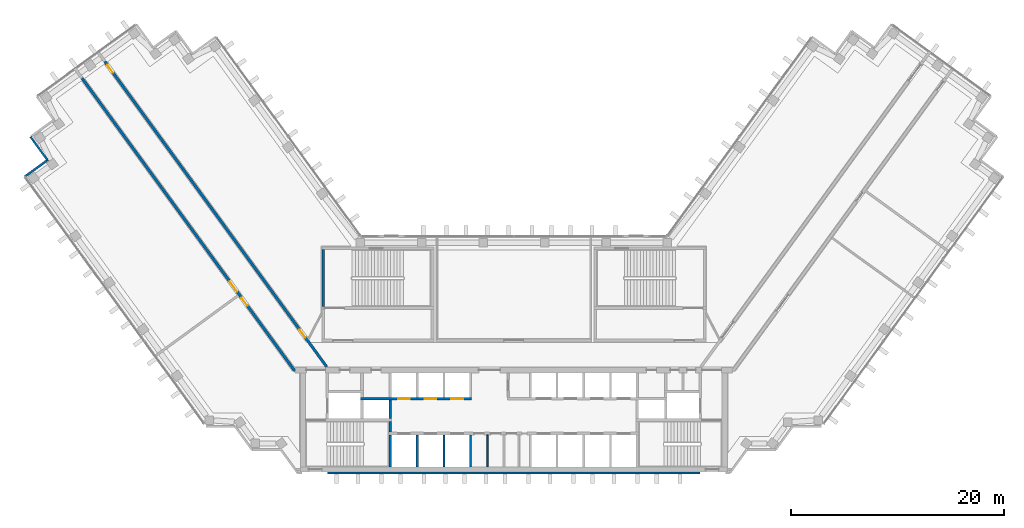
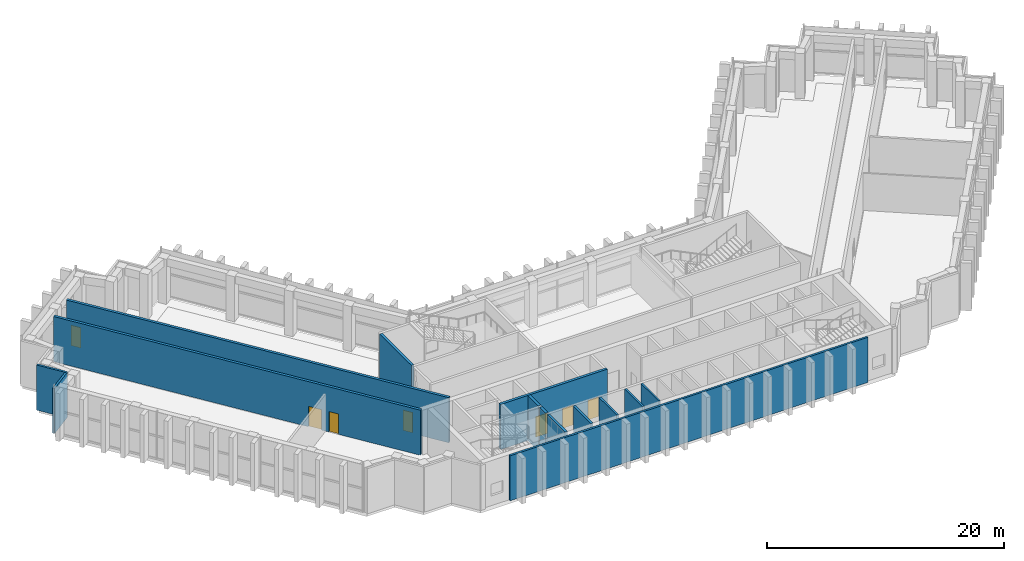
# One storey, part 8 of 14: 14 walls, 7 doors, 7 openings.
"""IFC4 building model written with IfcOpenShell, lengths in metres."""

import ifcopenshell
import ifcopenshell.guid

model = None  # the IFC model being written
_history = None  # IfcOwnerHistory: only IFC2X3 demands one
_inside = {}  # id of a spatial element -> (the spatial element, [elements in it])
_under = {}  # id of a project, library or spatial element -> (it, [spatial elements below it])
_declared = {}  # id of a project -> (the project, [libraries it declares])
_typed = {}  # id of a type object -> (the type object, [elements of that type])
_made_of = {}  # id of a material, layer set ... -> (it, [elements and type objects made of it])


def new_model(schema):
    """Start an empty IFC model of exactly this schema.

    Asked for "IFC4X3", IfcOpenShell would pick the latest addendum, in which some entities
    have other attributes; the version numbers below select the first issue.
    IFC2X3 requires an IfcOwnerHistory on every rooted entity: one is made here for all.
    """
    global model, _history
    if schema == "IFC4X3":
        model = ifcopenshell.file(schema_version=(4, 3, 0, 0))
    else:
        model = ifcopenshell.file(schema=schema)
    _inside.clear()
    _under.clear()
    _declared.clear()
    _typed.clear()
    _made_of.clear()
    _history = None
    if model.schema == "IFC2X3":
        org = make("IfcOrganization", Name="unknown")
        user = make(
            "IfcPersonAndOrganization",
            ThePerson=make("IfcPerson", FamilyName="unknown"),
            TheOrganization=org,
        )
        app = make(
            "IfcApplication",
            ApplicationDeveloper=org,
            Version="unknown",
            ApplicationFullName="unknown",
            ApplicationIdentifier="unknown",
        )
        _history = make(
            "IfcOwnerHistory",
            OwningUser=user,
            OwningApplication=app,
            ChangeAction="ADDED",
            CreationDate=0,
        )
    return model


def make(cls, **values):
    """One entity of the class cls with the attributes given. An attribute that is None is left unset."""
    return model.create_entity(
        cls, **{name: value for name, value in values.items() if value is not None}
    )


def rooted(cls, **values):
    """An entity with a GlobalId (a new one), such as an element, a storey or a relation."""
    return make(cls, GlobalId=ifcopenshell.guid.new(), OwnerHistory=_history, **values)


def si_unit(unit_type, name, prefix=None):
    """IfcSIUnit, for example si_unit("LENGTHUNIT", "METRE", prefix="MILLI")."""
    return make("IfcSIUnit", UnitType=unit_type, Prefix=prefix, Name=name)


def assignment(units):
    """IfcUnitAssignment: the units of a project."""
    return None if units is None else make("IfcUnitAssignment", Units=units)


def point(xyz):
    """IfcCartesianPoint."""
    return None if xyz is None else make("IfcCartesianPoint", Coordinates=xyz)


def direction(xyz):
    """IfcDirection."""
    return None if xyz is None else make("IfcDirection", DirectionRatios=xyz)


def frame(location, z_axis=None, x_axis=None):
    """IfcAxis2Placement3D, a coordinate frame: its origin and axes. An axis left out is left unset."""
    return make(
        "IfcAxis2Placement3D",
        Location=point(location),
        Axis=direction(z_axis),
        RefDirection=direction(x_axis),
    )


def frame_2d(location, x_axis=None):
    """IfcAxis2Placement2D, a coordinate frame in the plane: its origin and x axis."""
    return make(
        "IfcAxis2Placement2D", Location=point(location), RefDirection=direction(x_axis)
    )


def origin():
    """The frame at (0, 0, 0) with its axes left unset."""
    return frame((0.0, 0.0, 0.0))


def place(relative_to, where):
    """IfcLocalPlacement: puts the frame where relative to a parent placement (None: the world)."""
    return make(
        "IfcLocalPlacement", PlacementRelTo=relative_to, RelativePlacement=where
    )


def context(
    kind, dimensions, precision=None, world=None, true_north=None, identifier=None
):
    """IfcGeometricRepresentationContext, for example the 3D "Model" context."""
    return make(
        "IfcGeometricRepresentationContext",
        ContextIdentifier=identifier,
        ContextType=kind,
        CoordinateSpaceDimension=dimensions,
        Precision=precision,
        WorldCoordinateSystem=world,
        TrueNorth=true_north,
    )


def subcontext(parent, identifier, kind, view, scale=None):
    """IfcGeometricRepresentationSubContext, for example "Body" below "Model"."""
    return make(
        "IfcGeometricRepresentationSubContext",
        ContextIdentifier=identifier,
        ContextType=kind,
        ParentContext=parent,
        TargetScale=scale,
        TargetView=view,
    )


def project(units=None, contexts=None):
    """IfcProject with its units and contexts."""
    return rooted(
        "IfcProject",
        Name="project",
        RepresentationContexts=contexts,
        UnitsInContext=assignment(units),
    )


def spatial(cls, under=None, at=None, **own):
    """A site, building, storey or space (cls), placed at a placement, below another one or the project."""
    s = rooted(cls, ObjectPlacement=at, **own)
    if under is not None:
        _under.setdefault(under.id(), (under, []))[1].append(s)
    return s


def profile(cls, at=None, kind="AREA", **sizes):
    """A parametric profile (cls). Its sizes go by their IFC names, for example OverallWidth=200.0."""
    return make(cls, ProfileType=kind, Position=at, **sizes)


def rectangle(**sizes):
    """IfcRectangleProfileDef."""
    return profile("IfcRectangleProfileDef", **sizes)


def extrude(swept, where, along, depth):
    """IfcExtrudedAreaSolid: the profile swept, set in the frame where, extruded along a direction by depth."""
    return make(
        "IfcExtrudedAreaSolid",
        SweptArea=swept,
        Position=where,
        ExtrudedDirection=direction(along),
        Depth=depth,
    )


def shape(context_of_items, identifier, shape_type, items):
    """IfcShapeRepresentation: the items that make up one representation, for example the "Body"."""
    return make(
        "IfcShapeRepresentation",
        ContextOfItems=context_of_items,
        RepresentationIdentifier=identifier,
        RepresentationType=shape_type,
        Items=items,
    )


def material(Name=None, Category=None):
    """IfcMaterial."""
    return make("IfcMaterial", Name=Name, Category=Category)


def layer(
    of_material, thickness, ventilated=None, Name=None, Category=None, Priority=None
):
    """IfcMaterialLayer: one layer of a wall or slab, of a material (None: an air gap)."""
    return make(
        "IfcMaterialLayer",
        Material=of_material,
        LayerThickness=thickness,
        IsVentilated=ventilated,
        Name=Name,
        Category=Category,
        Priority=Priority,
    )


def layer_set(layers, Name=None):
    """IfcMaterialLayerSet."""
    return make("IfcMaterialLayerSet", MaterialLayers=layers, LayerSetName=Name)


def made_of(thing, what):
    """Note that an element or type object is made of a material, layer set ...; save() writes the relation."""
    if what is not None:
        _made_of.setdefault(what.id(), (what, []))[1].append(thing)
    return thing


def type_object(cls, material=None, **own):
    """A type object (cls), such as IfcWallType, which elements share."""
    return made_of(rooted(cls, **own), material)


def element(
    cls,
    number,
    at=None,
    inside=None,
    cuts=None,
    type_object=None,
    material=None,
    context=None,
    identifier="Body",
    shape_type=None,
    held_by="IfcProductDefinitionShape",
    body=None,
    shapes=None,
    **own,
):
    """One element of the class cls, such as IfcWall. Its Tag is "e" and its number.

    at: its placement. inside: the storey or other place that contains it. cuts: it is an
    opening in that element (IfcRelVoidsElement). A single representation is given by context,
    identifier, shape_type and body (its items); several are given by shapes. held_by: the class
    of the entity that holds the representations. save() writes the other relations.
    """
    e = rooted(cls, Tag="e%d" % number, ObjectPlacement=at, **own)
    if body is not None:
        shapes = [shape(context, identifier, shape_type, body)]
    if shapes is not None:
        e.Representation = make(held_by, Representations=shapes)
    if inside is not None:
        _inside.setdefault(inside.id(), (inside, []))[1].append(e)
    if cuts is not None:
        rooted(
            "IfcRelVoidsElement", RelatingBuildingElement=cuts, RelatedOpeningElement=e
        )
    if type_object is not None:
        _typed.setdefault(type_object.id(), (type_object, []))[1].append(e)
    return made_of(e, material)


def fill(opening, filler):
    """IfcRelFillsElement: the door or window that sits in an opening."""
    return rooted(
        "IfcRelFillsElement",
        RelatingOpeningElement=opening,
        RelatedBuildingElement=filler,
    )


def aggregate(whole, parts):
    """IfcRelAggregates: a whole, such as a stair, and the parts it consists of."""
    return rooted("IfcRelAggregates", RelatingObject=whole, RelatedObjects=parts)


def save(model, path):
    """Write the relations noted so far, then the file.

    IfcRelAggregates (storeys below a building ...), IfcRelContainedInSpatialStructure (elements
    in a storey), IfcRelDefinesByType, IfcRelAssociatesMaterial and IfcRelDeclares: one each for
    every whole, place, type object, material and project.
    """
    for whole, parts in _under.values():
        aggregate(whole, parts)
    for where, things in _inside.values():
        rooted(
            "IfcRelContainedInSpatialStructure",
            RelatedElements=things,
            RelatingStructure=where,
        )
    for kind, things in _typed.values():
        rooted("IfcRelDefinesByType", RelatedObjects=things, RelatingType=kind)
    for what, things in _made_of.values():
        rooted("IfcRelAssociatesMaterial", RelatedObjects=things, RelatingMaterial=what)
    for by, libraries in _declared.values():
        rooted("IfcRelDeclares", RelatingContext=by, RelatedDefinitions=libraries)
    model.write(path)


model = new_model("IFC4")

# Units and contexts
model_context = context("Model", 3, precision=1e-05, world=origin(), true_north=direction((0.0, 1.0)))
body_context = subcontext(model_context, "Body", "Model", "MODEL_VIEW")
ifc_project = project(units=[si_unit("LENGTHUNIT", "METRE"), si_unit("AREAUNIT", "SQUARE_METRE"), si_unit("VOLUMEUNIT", "CUBIC_METRE"), si_unit("PLANEANGLEUNIT", "RADIAN"), si_unit("MASSUNIT", "GRAM", prefix="KILO")], contexts=[model_context])

# Site, building, storey
site_placement = place(None, origin())
site = spatial("IfcSite", under=ifc_project, at=site_placement, CompositionType="ELEMENT")
building_placement = place(site_placement, origin())
building = spatial("IfcBuilding", under=site, at=building_placement, Name="Quipu Civic Tower", CompositionType="ELEMENT")
storey_placement = place(building_placement, frame((0.0, 0.0, 139.0)))
storey = spatial("IfcBuildingStorey", under=building, at=storey_placement, Name="L32", CompositionType="ELEMENT", Elevation=139.0)

# Walls
ifc_material_1 = material(Name="Concrete C70/85", Category="concrete")
ifc_layer_1 = layer(ifc_material_1, 0.25)
ifc_layer_set_1 = layer_set([ifc_layer_1], Name="Concrete C70/85")
wall_type_1 = type_object("IfcWallType", Name="Core wall 250", PredefinedType="SHEAR", material=ifc_layer_set_1)
wall_1_placement = place(storey_placement, frame((-11.574951171875, -10.5, 0.0), z_axis=(0.0, 0.0, 1.0), x_axis=(0.0, 1.0, 0.0)))
element("IfcWall", 1, at=wall_1_placement, inside=storey, type_object=wall_type_1, Name="Core wall", PredefinedType="SHEAR", context=body_context, shape_type="SweptSolid", body=[
    extrude(rectangle(XDim=3.0, YDim=0.25, at=frame_2d((1.5, 0.0))), origin(), (0.0, 0.0, 1.0), 4.64990234375),
])
wall_2_placement = place(storey_placement, frame((-11.574951171875, -7.25, 0.0), z_axis=(0.0, 0.0, 1.0), x_axis=(0.0, 1.0, 0.0)))
element("IfcWall", 2, at=wall_2_placement, inside=storey, type_object=wall_type_1, Name="Core wall", PredefinedType="SHEAR", context=body_context, shape_type="SweptSolid", body=[
    extrude(rectangle(XDim=1.0, YDim=0.25, at=frame_2d((0.5, 0.0))), origin(), (0.0, 0.0, 1.0), 4.64990234375),
])
wall_3_placement = place(storey_placement, frame((-11.574951171875, -6.0, 0.0), z_axis=(0.0, 0.0, 1.0), x_axis=(0.0, 1.0, 0.0)))
element("IfcWall", 3, at=wall_3_placement, inside=storey, type_object=wall_type_1, Name="Core wall", PredefinedType="SHEAR", context=body_context, shape_type="SweptSolid", body=[
    extrude(rectangle(XDim=1.75, YDim=0.25, at=frame_2d((0.875, 0.0))), origin(), (0.0, 0.0, 1.0), 4.64990234375),
])

# Wall, openings, doors
wall_4_placement = place(storey_placement, frame((-14.35009765625, -4.125, 0.0), z_axis=(0.0, 0.0, 1.0), x_axis=(1.0, 0.0, 0.0)))
wall_4 = element("IfcWall", 4, at=wall_4_placement, inside=storey, type_object=wall_type_1, Name="Core wall", PredefinedType="SHEAR", context=body_context, shape_type="SweptSolid", body=[
    extrude(rectangle(XDim=10.400146484375, YDim=0.25, at=frame_2d((5.2001953125, 0.0))), origin(), (0.0, 0.0, 1.0), 4.64990234375),
])
opening_1_placement = place(wall_4_placement, frame((3.5, 0.0, 0.0)))
opening_1 = element("IfcOpeningElement", 5, at=opening_1_placement, cuts=wall_4, Name="Opening LD-LL4", PredefinedType="OPENING", context=body_context, shape_type="SweptSolid", body=[
    extrude(rectangle(XDim=1.10009765625, YDim=2.10009765625, at=frame_2d((0.550048828125, 1.050048828125))), frame((0.0, 0.135009765625, 0.0), z_axis=(0.0, -1.0, 0.0), x_axis=(1.0, 0.0, 0.0)), (0.0, 0.0, 1.0), 0.27001953125),
])
opening_2_placement = place(wall_4_placement, frame((6.0, 0.0, 0.0)))
opening_2 = element("IfcOpeningElement", 6, at=opening_2_placement, cuts=wall_4, Name="Opening LD-LL5", PredefinedType="OPENING", context=body_context, shape_type="SweptSolid", body=[
    extrude(rectangle(XDim=1.10009765625, YDim=2.10009765625, at=frame_2d((0.550048828125, 1.050048828125))), frame((0.0, 0.135009765625, 0.0), z_axis=(0.0, -1.0, 0.0), x_axis=(1.0, 0.0, 0.0)), (0.0, 0.0, 1.0), 0.27001953125),
])
opening_3_placement = place(wall_4_placement, frame((8.5, 0.0, 0.0)))
opening_3 = element("IfcOpeningElement", 7, at=opening_3_placement, cuts=wall_4, Name="Opening LD-LL6", PredefinedType="OPENING", context=body_context, shape_type="SweptSolid", body=[
    extrude(rectangle(XDim=1.10009765625, YDim=2.10009765625, at=frame_2d((0.550048828125, 1.050048828125))), frame((0.0, 0.135009765625, 0.0), z_axis=(0.0, -1.0, 0.0), x_axis=(1.0, 0.0, 0.0)), (0.0, 0.0, 1.0), 0.27001953125),
])
ifc_material_2 = material(Name="Stainless steel", Category="steel")
door_type_1 = type_object("IfcDoorType", Name="Lift landing door 1100 x 2100", OperationType="DOUBLE_DOOR_SLIDING", PredefinedType="DOOR", material=ifc_material_2)
door_1_placement = place(opening_1_placement, origin())
door_1 = element("IfcDoor", 8, at=door_1_placement, inside=storey, type_object=door_type_1, Name="Landing door LL4", OperationType="DOUBLE_DOOR_SLIDING", OverallHeight=2.10009765625, OverallWidth=1.10009765625, PredefinedType="DOOR", context=body_context, shape_type="SweptSolid", body=[
    extrude(rectangle(XDim=1.10009765625, YDim=2.10009765625, at=frame_2d((0.550048828125, 1.050048828125))), frame((0.0, 0.02490234375, 0.0), z_axis=(0.0, -1.0, 0.0), x_axis=(1.0, 0.0, 0.0)), (0.0, 0.0, 1.0), 0.050048828125),
])
fill(opening_1, door_1)
door_2_placement = place(opening_2_placement, origin())
door_2 = element("IfcDoor", 9, at=door_2_placement, inside=storey, type_object=door_type_1, Name="Landing door LL5", OperationType="DOUBLE_DOOR_SLIDING", OverallHeight=2.10009765625, OverallWidth=1.10009765625, PredefinedType="DOOR", context=body_context, shape_type="SweptSolid", body=[
    extrude(rectangle(XDim=1.10009765625, YDim=2.10009765625, at=frame_2d((0.550048828125, 1.050048828125))), frame((0.0, 0.02490234375, 0.0), z_axis=(0.0, -1.0, 0.0), x_axis=(1.0, 0.0, 0.0)), (0.0, 0.0, 1.0), 0.050048828125),
])
fill(opening_2, door_2)
door_3_placement = place(opening_3_placement, origin())
door_3 = element("IfcDoor", 10, at=door_3_placement, inside=storey, type_object=door_type_1, Name="Landing door LL6", OperationType="DOUBLE_DOOR_SLIDING", OverallHeight=2.10009765625, OverallWidth=1.10009765625, PredefinedType="DOOR", context=body_context, shape_type="SweptSolid", body=[
    extrude(rectangle(XDim=1.10009765625, YDim=2.10009765625, at=frame_2d((0.550048828125, 1.050048828125))), frame((0.0, 0.02490234375, 0.0), z_axis=(0.0, -1.0, 0.0), x_axis=(1.0, 0.0, 0.0)), (0.0, 0.0, 1.0), 0.050048828125),
])
fill(opening_3, door_3)

# Wall
wall_5_placement = place(storey_placement, frame((-17.875, 4.5, 0.0), z_axis=(0.0, 0.0, 1.0), x_axis=(0.0, 1.0, 0.0)))
element("IfcWall", 11, at=wall_5_placement, inside=storey, type_object=wall_type_1, Name="Core wall", PredefinedType="SHEAR", context=body_context, shape_type="SweptSolid", body=[
    extrude(rectangle(XDim=5.35009765625, YDim=0.25, at=frame_2d((2.675048828125, 0.0))), origin(), (0.0, 0.0, 1.0), 4.64990234375),
])

# Wall, openings, doors
ifc_material_3 = material(Name="Concrete C50/60", Category="concrete")
ifc_layer_2 = layer(ifc_material_3, 0.25)
ifc_layer_set_2 = layer_set([ifc_layer_2], Name="Concrete C50/60")
wall_type_2 = type_object("IfcWallType", Name="Corridor wall 250 concrete", PredefinedType="SOLIDWALL", material=ifc_layer_set_2)
wall_6_placement = place(storey_placement, frame((-20.531005859375, -1.5234375, 0.0), z_axis=(0.0, 0.0, 1.0), x_axis=(-0.587781654618, 0.809019608226, 0.0)))
wall_6 = element("IfcWall", 12, at=wall_6_placement, inside=storey, type_object=wall_type_2, Name="Corridor wall C02", PredefinedType="SOLIDWALL", context=body_context, shape_type="SweptSolid", body=[
    extrude(rectangle(XDim=33.9111328125, YDim=0.25, at=frame_2d((16.95556640625, 0.0))), origin(), (0.0, 0.0, 1.0), 4.64990234375),
])
opening_4_placement = place(wall_6_placement, frame((9.166015625, 0.0, 0.0)))
opening_4 = element("IfcOpeningElement", 13, at=opening_4_placement, cuts=wall_6, Name="Opening D009", PredefinedType="OPENING", context=body_context, shape_type="SweptSolid", body=[
    extrude(rectangle(XDim=1.199951171875, YDim=2.10009765625, at=frame_2d((0.60009765625, 1.050048828125))), frame((0.0, 0.135009765625, 0.0), z_axis=(0.0, -1.0, 0.0), x_axis=(1.0, 0.0, 0.0)), (0.0, 0.0, 1.0), 0.27001953125),
])
opening_5_placement = place(wall_6_placement, frame((7.56591796875, 0.0, 0.0)))
opening_5 = element("IfcOpeningElement", 14, at=opening_5_placement, cuts=wall_6, Name="Opening D010", PredefinedType="OPENING", context=body_context, shape_type="SweptSolid", body=[
    extrude(rectangle(XDim=0.89990234375, YDim=2.10009765625, at=frame_2d((0.449951171875, 1.050048828125))), frame((0.0, 0.135009765625, 0.0), z_axis=(0.0, -1.0, 0.0), x_axis=(1.0, 0.0, 0.0)), (0.0, 0.0, 1.0), 0.27001953125),
])
ifc_material_4 = material(Name="Fire rated timber door set with metal frame", Category="wood")
door_type_2 = type_object("IfcDoorType", Name="Single door 1200 x 2100 FD60", OperationType="NOTDEFINED", PredefinedType="DOOR", material=ifc_material_4)
door_4_placement = place(opening_4_placement, origin())
door_4 = element("IfcDoor", 15, at=door_4_placement, inside=storey, type_object=door_type_2, Name="Door D009", OperationType="SINGLE_SWING_LEFT", OverallHeight=2.10009765625, OverallWidth=1.199951171875, PredefinedType="DOOR", context=body_context, shape_type="SweptSolid", body=[
    extrude(rectangle(XDim=1.199951171875, YDim=2.10009765625, at=frame_2d((0.60009765625, 1.050048828125))), frame((0.0, 0.02490234375, 0.0), z_axis=(0.0, -1.0, 0.0), x_axis=(1.0, 0.0, 0.0)), (0.0, 0.0, 1.0), 0.050048828125),
])
fill(opening_4, door_4)
ifc_material_5 = material(Name="Fire rated timber door set with metal frame", Category="wood")
door_type_3 = type_object("IfcDoorType", Name="Single door 900 x 2100 FD60", OperationType="NOTDEFINED", PredefinedType="DOOR", material=ifc_material_5)
door_5_placement = place(opening_5_placement, origin())
door_5 = element("IfcDoor", 16, at=door_5_placement, inside=storey, type_object=door_type_3, Name="Door D010", OperationType="SINGLE_SWING_RIGHT", OverallHeight=2.10009765625, OverallWidth=0.89990234375, PredefinedType="DOOR", context=body_context, shape_type="SweptSolid", body=[
    extrude(rectangle(XDim=0.89990234375, YDim=2.10009765625, at=frame_2d((0.449951171875, 1.050048828125))), frame((0.0, 0.02490234375, 0.0), z_axis=(0.0, -1.0, 0.0), x_axis=(1.0, 0.0, 0.0)), (0.0, 0.0, 1.0), 0.050048828125),
])
fill(opening_5, door_5)

wall_7_placement = place(storey_placement, frame((-38.31982421875, 27.46923828125, 0.0), z_axis=(0.0, 0.0, 1.0), x_axis=(0.587788021768, -0.809014982226, 0.0)))
wall_7 = element("IfcWall", 17, at=wall_7_placement, inside=storey, type_object=wall_type_2, Name="Corridor wall C03", PredefinedType="SOLIDWALL", context=body_context, shape_type="SweptSolid", body=[
    extrude(rectangle(XDim=35.34423828125, YDim=0.25, at=frame_2d((17.672119140625, 0.0))), origin(), (0.0, 0.0, 1.0), 4.64990234375),
])
opening_6_placement = place(wall_7_placement, frame((31.05224609375, 0.0, 0.0)))
opening_6 = element("IfcOpeningElement", 18, at=opening_6_placement, cuts=wall_7, Name="Opening D007", PredefinedType="OPENING", context=body_context, shape_type="SweptSolid", body=[
    extrude(rectangle(XDim=0.89990234375, YDim=2.10009765625, at=frame_2d((0.449951171875, 1.050048828125))), frame((0.0, 0.135009765625, 0.0), z_axis=(0.0, -1.0, 0.0), x_axis=(1.0, 0.0, 0.0)), (0.0, 0.0, 1.0), 0.27001953125),
])
opening_7_placement = place(wall_7_placement, frame((0.3916015625, 0.0, 0.0)))
opening_7 = element("IfcOpeningElement", 19, at=opening_7_placement, cuts=wall_7, Name="Opening D008", PredefinedType="OPENING", context=body_context, shape_type="SweptSolid", body=[
    extrude(rectangle(XDim=0.89990234375, YDim=2.10009765625, at=frame_2d((0.449951171875, 1.050048828125))), frame((0.0, 0.135009765625, 0.0), z_axis=(0.0, -1.0, 0.0), x_axis=(1.0, 0.0, 0.0)), (0.0, 0.0, 1.0), 0.27001953125),
])
door_6_placement = place(opening_6_placement, origin())
door_6 = element("IfcDoor", 20, at=door_6_placement, inside=storey, type_object=door_type_3, Name="Door D007", OperationType="SINGLE_SWING_RIGHT", OverallHeight=2.10009765625, OverallWidth=0.89990234375, PredefinedType="DOOR", context=body_context, shape_type="SweptSolid", body=[
    extrude(rectangle(XDim=0.89990234375, YDim=2.10009765625, at=frame_2d((0.449951171875, 1.050048828125))), frame((0.0, 0.02490234375, 0.0), z_axis=(0.0, -1.0, 0.0), x_axis=(1.0, 0.0, 0.0)), (0.0, 0.0, 1.0), 0.050048828125),
])
fill(opening_6, door_6)
door_7_placement = place(opening_7_placement, origin())
door_7 = element("IfcDoor", 21, at=door_7_placement, inside=storey, type_object=door_type_3, Name="Door D008", OperationType="SINGLE_SWING_LEFT", OverallHeight=2.10009765625, OverallWidth=0.89990234375, PredefinedType="DOOR", context=body_context, shape_type="SweptSolid", body=[
    extrude(rectangle(XDim=0.89990234375, YDim=2.10009765625, at=frame_2d((0.449951171875, 1.050048828125))), frame((0.0, 0.02490234375, 0.0), z_axis=(0.0, -1.0, 0.0), x_axis=(1.0, 0.0, 0.0)), (0.0, 0.0, 1.0), 0.050048828125),
])
fill(opening_7, door_7)

# Walls
ifc_material_6 = material(Name="Gypsum board partition")
ifc_layer_3 = layer(ifc_material_6, 0.14990234375)
ifc_layer_set_3 = layer_set([ifc_layer_3], Name="Gypsum board partition")
wall_type_3 = type_object("IfcWallType", Name="Partition 150", PredefinedType="PARTITIONING", material=ifc_layer_set_3)
wall_8_placement = place(storey_placement, frame((-2.47509765625, -10.5, 0.0), z_axis=(0.0, 0.0, 1.0), x_axis=(0.0, 1.0, 0.0)))
element("IfcWall", 22, at=wall_8_placement, inside=storey, type_object=wall_type_3, Name="Partition", PredefinedType="PARTITIONING", context=body_context, shape_type="SweptSolid", body=[
    extrude(rectangle(XDim=3.0, YDim=0.14990234375, at=frame_2d((1.5, 0.0))), origin(), (0.0, 0.0, 1.0), 4.64990234375),
])
ifc_material_7 = material(Name="Precast concrete C40/50", Category="concrete")
wall_type_4 = type_object("IfcWallType", Name="Precast cladding wall", PredefinedType="SOLIDWALL", material=ifc_material_7)
for number, where, z_axis, x_axis, name in (
    (23, (-45.29638671875, 20.43359375, 0.0), (0.0, 0.0, 1.0), (0.587762999008, -0.809033161865, 0.0), "Precast cladding wall L32 9"),
    (24, (-43.658203125, 18.271728515625, 0.0), (0.0, 0.0, 1.0), (-0.808958916286, -0.58786518162, 0.0), "Precast cladding wall L32 10"),
):
    element("IfcWall", number, at=place(storey_placement, frame(where, z_axis=z_axis, x_axis=x_axis)), inside=storey, type_object=wall_type_4, Name=name, PredefinedType="SOLIDWALL", context=body_context, shape_type="SweptSolid", body=[
        extrude(rectangle(XDim=2.699951171875, YDim=0.199951171875, at=frame_2d((1.35009765625, 0.0))), origin(), (0.0, 0.0, 1.0), 4.64990234375),
    ])
wall_9_placement = place(storey_placement, frame((-17.44384765625, -11.087890625, 0.0), z_axis=(0.0, 0.0, 1.0), x_axis=(1.0, 0.0, 0.0)))
element("IfcWall", 25, at=wall_9_placement, inside=storey, type_object=wall_type_4, Name="Precast cladding wall L32 17", PredefinedType="SOLIDWALL", context=body_context, shape_type="SweptSolid", body=[
    extrude(rectangle(XDim=34.8876953125, YDim=0.199951171875, at=frame_2d((17.44384765625, 0.0))), origin(), (0.0, 0.0, 1.0), 4.64990234375),
])
ifc_material_8 = material(Name="Concrete C40/50", Category="concrete")
ifc_layer_4 = layer(ifc_material_8, 0.199951171875)
ifc_layer_set_4 = layer_set([ifc_layer_4], Name="Concrete C40/50")
wall_type_5 = type_object("IfcWallType", Name="Shaft wall 200", PredefinedType="SOLIDWALL", material=ifc_layer_set_4)
for number, where, z_axis, x_axis, name in (
    (26, (-9.050048828125, -10.5, 0.0), (0.0, 0.0, 1.0), (0.0, 1.0, 0.0), "Shaft wall"),
    (27, (-6.550048828125, -10.5, 0.0), (0.0, 0.0, 1.0), (0.0, 1.0, 0.0), "Shaft wall"),
    (28, (-4.050048828125, -10.5, 0.0), (0.0, 0.0, 1.0), (0.0, 1.0, 0.0), "Shaft wall"),
):
    element("IfcWall", number, at=place(storey_placement, frame(where, z_axis=z_axis, x_axis=x_axis)), inside=storey, type_object=wall_type_5, Name=name, PredefinedType="SOLIDWALL", context=body_context, shape_type="SweptSolid", body=[
        extrude(rectangle(XDim=3.0, YDim=0.199951171875, at=frame_2d((1.5, 0.0))), origin(), (0.0, 0.0, 1.0), 4.64990234375),
    ])

save(model, "model.ifc")
